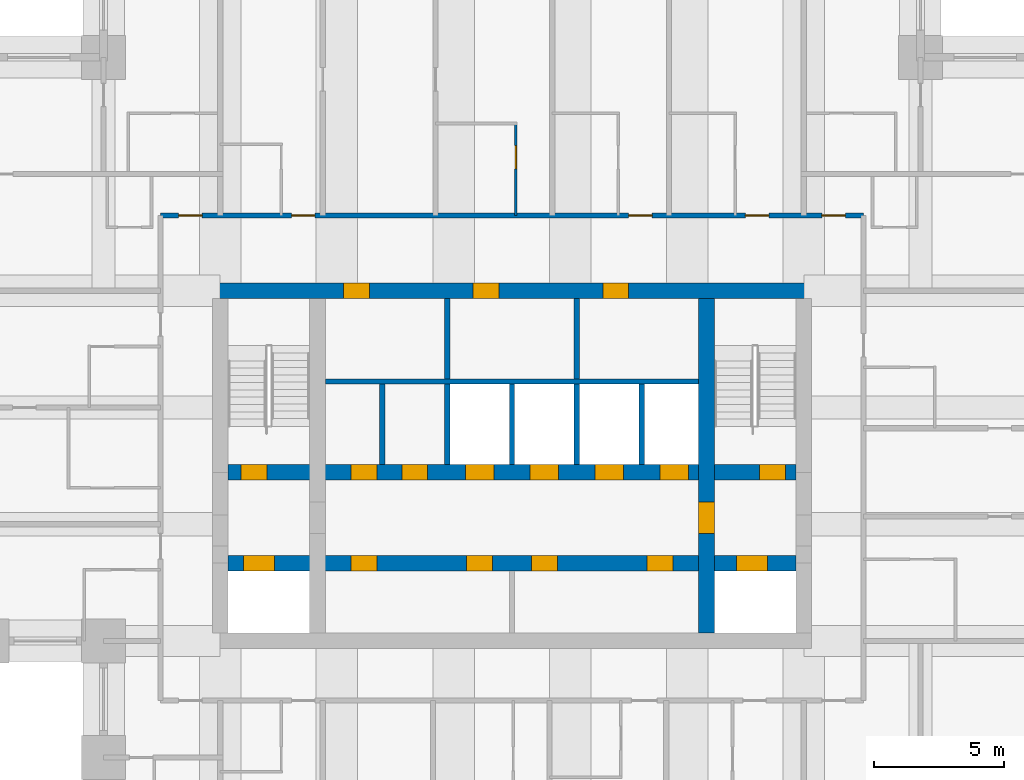
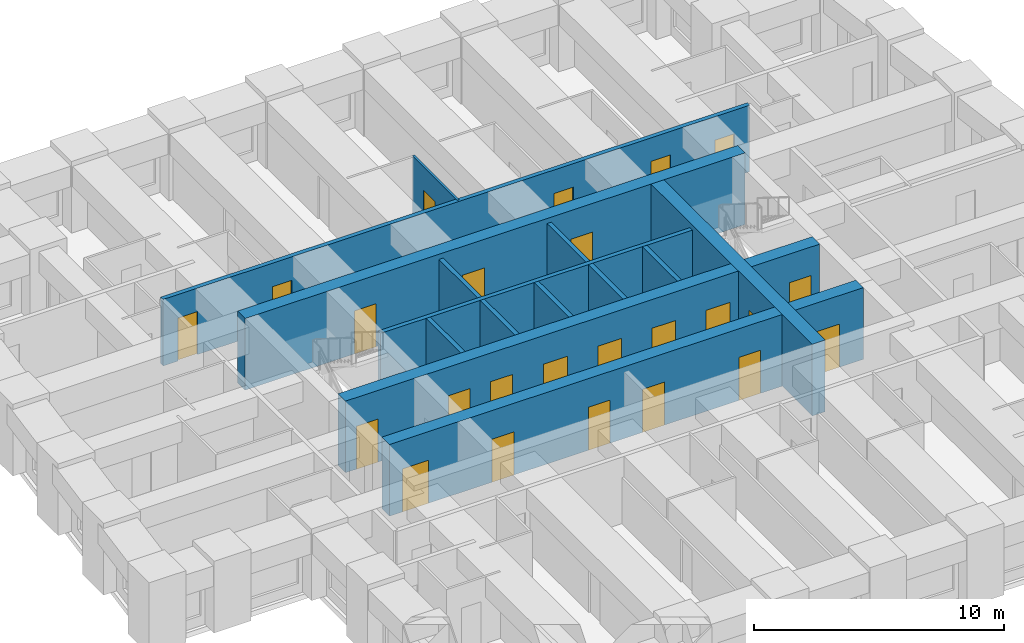
# One storey, part 4 of 8: 24 doors, 14 walls, 24 openings.
"""IFC4 building model written with IfcOpenShell, lengths in metres."""

from ifc_helpers import new_model, si_unit, direction, frame, frame_2d, origin, place, context, subcontext, project, spatial, rectangle, extrude, material, layer, layer_set, type_object, element, fill, save


model = new_model("IFC4")

# Units and contexts
model_context = context("Model", 3, precision=1e-05, world=origin(), true_north=direction((0.0, 1.0)))
body_context = subcontext(model_context, "Body", "Model", "MODEL_VIEW")
ifc_project = project(units=[si_unit("LENGTHUNIT", "METRE"), si_unit("AREAUNIT", "SQUARE_METRE"), si_unit("VOLUMEUNIT", "CUBIC_METRE"), si_unit("PLANEANGLEUNIT", "RADIAN"), si_unit("MASSUNIT", "GRAM", prefix="KILO")], contexts=[model_context])

# Site, building, storey
site_placement = place(None, origin())
site = spatial("IfcSite", under=ifc_project, at=site_placement, CompositionType="ELEMENT")
building_placement = place(site_placement, origin())
building = spatial("IfcBuilding", under=site, at=building_placement, Name="Kilele Tower Hotel", CompositionType="ELEMENT")
storey_placement = place(building_placement, frame((0.0, 0.0, 176.39990234375)))
storey = spatial("IfcBuildingStorey", under=building, at=storey_placement, Name="L45", CompositionType="ELEMENT", Elevation=176.39990234375)

# Wall, opening, door
ifc_material_1 = material(Name="Moisture-resistant board")
ifc_layer_1 = layer(ifc_material_1, 0.10009765625)
ifc_layer_set_1 = layer_set([ifc_layer_1], Name="Moisture-resistant board")
wall_type_1 = type_object("IfcWallType", Name="Bathroom partition 100", PredefinedType="PLUMBINGWALL", material=ifc_layer_set_1)
wall_1_placement = place(storey_placement, frame((24.89990234375, 29.89990234375, 0.0), z_axis=(0.0, 0.0, 1.0), x_axis=(0.0, 1.0, 0.0)))
wall_1 = element("IfcWall", 1, at=wall_1_placement, inside=storey, type_object=wall_type_1, Name="Bathroom partition 100 L45", PredefinedType="PLUMBINGWALL", context=body_context, shape_type="SweptSolid", body=[
    extrude(rectangle(XDim=3.60009765625, YDim=0.10009765625, at=frame_2d((1.800048828125, 0.0))), origin(), (0.0, 0.0, 1.0), 3.25),
])
opening_1_placement = place(wall_1_placement, frame((2.699951171875, 0.0, 0.0), z_axis=(0.0, 0.0, 1.0), x_axis=(-1.0, 0.0, 0.0)))
opening_1 = element("IfcOpeningElement", 2, at=opening_1_placement, cuts=wall_1, Name="Opening D2A", PredefinedType="OPENING", context=body_context, shape_type="SweptSolid", body=[
    extrude(rectangle(XDim=0.89990234375, YDim=2.10009765625, at=frame_2d((0.449951171875, 1.050048828125))), frame((0.0, 0.06005859375, 0.0), z_axis=(0.0, -1.0, 0.0), x_axis=(1.0, 0.0, 0.0)), (0.0, 0.0, 1.0), 0.1201171875),
])
ifc_material_2 = material(Name="Timber door leaf in hardwood frame", Category="wood")
door_type_1 = type_object("IfcDoorType", Name="Bathroom door 900", OperationType="SINGLE_SWING_LEFT", PredefinedType="DOOR", material=ifc_material_2)
door_1_placement = place(opening_1_placement, origin())
door_1 = element("IfcDoor", 3, at=door_1_placement, inside=storey, type_object=door_type_1, Name="Bathroom door 4511B", OperationType="SINGLE_SWING_LEFT", OverallHeight=2.10009765625, OverallWidth=0.89990234375, PredefinedType="DOOR", context=body_context, shape_type="SweptSolid", body=[
    extrude(rectangle(XDim=0.89990234375, YDim=2.10009765625, at=frame_2d((0.449951171875, 1.050048828125))), frame((0.0, 0.02490234375, 0.0), z_axis=(0.0, -1.0, 0.0), x_axis=(1.0, 0.0, 0.0)), (0.0, 0.0, 1.0), 0.050048828125),
])
fill(opening_1, door_1)

# Wall, openings, doors
ifc_material_3 = material(Name="Concrete C70/85", Category="concrete")
ifc_layer_2 = layer(ifc_material_3, 0.60009765625)
ifc_layer_set_2 = layer_set([ifc_layer_2], Name="Concrete C70/85")
wall_type_2 = type_object("IfcWallType", Name="Core wall 600 C70/85", PredefinedType="SHEAR", material=ifc_layer_set_2)
wall_2_placement = place(storey_placement, frame((36.300048828125, 27.0, 0.0), z_axis=(0.0, 0.0, 1.0), x_axis=(-1.0, 0.0, 0.0)))
wall_2 = element("IfcWall", 4, at=wall_2_placement, inside=storey, type_object=wall_type_2, Name="Core wall N L45", PredefinedType="SHEAR", context=body_context, shape_type="SweptSolid", body=[
    extrude(rectangle(XDim=23.10009765625, YDim=0.60009765625, at=frame_2d((11.550048828125, 0.0))), origin(), (0.0, 0.0, 1.0), 3.5),
])
opening_2_placement = place(wall_2_placement, frame((17.050048828125, 0.0, 0.0)))
opening_2 = element("IfcOpeningElement", 5, at=opening_2_placement, cuts=wall_2, Name="Opening D6", PredefinedType="OPENING", context=body_context, shape_type="SweptSolid", body=[
    extrude(rectangle(XDim=1.0, YDim=2.10009765625, at=frame_2d((0.5, 1.050048828125))), frame((0.0, 0.31005859375, 0.0), z_axis=(0.0, -1.0, 0.0), x_axis=(1.0, 0.0, 0.0)), (0.0, 0.0, 1.0), 0.6201171875),
])
opening_3_placement = place(wall_2_placement, frame((12.050048828125, 0.0, 0.0)))
opening_3 = element("IfcOpeningElement", 6, at=opening_3_placement, cuts=wall_2, Name="Opening D6", PredefinedType="OPENING", context=body_context, shape_type="SweptSolid", body=[
    extrude(rectangle(XDim=1.0, YDim=2.10009765625, at=frame_2d((0.5, 1.050048828125))), frame((0.0, 0.31005859375, 0.0), z_axis=(0.0, -1.0, 0.0), x_axis=(1.0, 0.0, 0.0)), (0.0, 0.0, 1.0), 0.6201171875),
])
opening_4_placement = place(wall_2_placement, frame((7.050048828125, 0.0, 0.0)))
opening_4 = element("IfcOpeningElement", 7, at=opening_4_placement, cuts=wall_2, Name="Opening D6", PredefinedType="OPENING", context=body_context, shape_type="SweptSolid", body=[
    extrude(rectangle(XDim=1.0, YDim=2.10009765625, at=frame_2d((0.5, 1.050048828125))), frame((0.0, 0.31005859375, 0.0), z_axis=(0.0, -1.0, 0.0), x_axis=(1.0, 0.0, 0.0)), (0.0, 0.0, 1.0), 0.6201171875),
])
ifc_material_4 = material(Name="Timber door leaf in hardwood frame", Category="wood")
door_type_2 = type_object("IfcDoorType", Name="Riser door 1000", OperationType="SINGLE_SWING_LEFT", PredefinedType="DOOR", material=ifc_material_4)
door_2_placement = place(opening_2_placement, origin())
door_2 = element("IfcDoor", 8, at=door_2_placement, inside=storey, type_object=door_type_2, Name="Service riser door L45", OperationType="SINGLE_SWING_RIGHT", OverallHeight=2.10009765625, OverallWidth=1.0, PredefinedType="DOOR", context=body_context, shape_type="SweptSolid", body=[
    extrude(rectangle(XDim=1.0, YDim=2.10009765625, at=frame_2d((0.5, 1.050048828125))), frame((0.0, 0.2998046875, 0.0), z_axis=(0.0, -1.0, 0.0), x_axis=(1.0, 0.0, 0.0)), (0.0, 0.0, 1.0), 0.599609375),
])
fill(opening_2, door_2)
door_3_placement = place(opening_3_placement, origin())
door_3 = element("IfcDoor", 9, at=door_3_placement, inside=storey, type_object=door_type_2, Name="IT and comms room door L45", OperationType="SINGLE_SWING_RIGHT", OverallHeight=2.10009765625, OverallWidth=1.0, PredefinedType="DOOR", context=body_context, shape_type="SweptSolid", body=[
    extrude(rectangle(XDim=1.0, YDim=2.10009765625, at=frame_2d((0.5, 1.050048828125))), frame((0.0, 0.2998046875, 0.0), z_axis=(0.0, -1.0, 0.0), x_axis=(1.0, 0.0, 0.0)), (0.0, 0.0, 1.0), 0.599609375),
])
fill(opening_3, door_3)
door_4_placement = place(opening_4_placement, origin())
door_4 = element("IfcDoor", 10, at=door_4_placement, inside=storey, type_object=door_type_2, Name="Electrical riser door L45", OperationType="SINGLE_SWING_RIGHT", OverallHeight=2.10009765625, OverallWidth=1.0, PredefinedType="DOOR", context=body_context, shape_type="SweptSolid", body=[
    extrude(rectangle(XDim=1.0, YDim=2.10009765625, at=frame_2d((0.5, 1.050048828125))), frame((0.0, 0.2998046875, 0.0), z_axis=(0.0, -1.0, 0.0), x_axis=(1.0, 0.0, 0.0)), (0.0, 0.0, 1.0), 0.599609375),
])
fill(opening_4, door_4)

# Wall, opening, door
wall_3_placement = place(storey_placement, frame((32.25, 13.800048828125, 0.0), z_axis=(0.0, 0.0, 1.0), x_axis=(0.0, 1.0, 0.0)))
wall_3 = element("IfcWall", 11, at=wall_3_placement, inside=storey, type_object=wall_type_2, Name="Core wall IE L45", PredefinedType="SHEAR", context=body_context, shape_type="SweptSolid", body=[
    extrude(rectangle(XDim=12.89990234375, YDim=0.60009765625, at=frame_2d((6.449951171875, 0.0))), origin(), (0.0, 0.0, 1.0), 3.5),
])
opening_5_placement = place(wall_3_placement, frame((5.050048828125, 0.0, 0.0), z_axis=(0.0, 0.0, 1.0), x_axis=(-1.0, 0.0, 0.0)))
opening_5 = element("IfcOpeningElement", 12, at=opening_5_placement, cuts=wall_3, Name="Opening D4", PredefinedType="OPENING", context=body_context, shape_type="SweptSolid", body=[
    extrude(rectangle(XDim=1.199951171875, YDim=2.10009765625, at=frame_2d((0.60009765625, 1.050048828125))), frame((0.0, 0.31005859375, 0.0), z_axis=(0.0, -1.0, 0.0), x_axis=(1.0, 0.0, 0.0)), (0.0, 0.0, 1.0), 0.6201171875),
])
ifc_material_5 = material(Name="Timber door leaf in hardwood frame", Category="wood")
door_type_3 = type_object("IfcDoorType", Name="Firefighting lobby door 1200", OperationType="SINGLE_SWING_LEFT", PredefinedType="DOOR", material=ifc_material_5)
door_5_placement = place(opening_5_placement, origin())
door_5 = element("IfcDoor", 13, at=door_5_placement, inside=storey, type_object=door_type_3, Name="Lobby door L45", OperationType="SINGLE_SWING_RIGHT", OverallHeight=2.10009765625, OverallWidth=1.199951171875, PredefinedType="DOOR", context=body_context, shape_type="SweptSolid", body=[
    extrude(rectangle(XDim=1.199951171875, YDim=2.10009765625, at=frame_2d((0.60009765625, 1.050048828125))), frame((0.0, 0.2998046875, 0.0), z_axis=(0.0, -1.0, 0.0), x_axis=(1.0, 0.0, 0.0)), (0.0, 0.0, 1.0), 0.599609375),
])
fill(opening_5, door_5)

# Wall, openings, doors
wall_4_placement = place(storey_placement, frame((13.800048828125, 16.5, 0.0), z_axis=(0.0, 0.0, 1.0), x_axis=(1.0, 0.0, 0.0)))
wall_4 = element("IfcWall", 14, at=wall_4_placement, inside=storey, type_object=wall_type_2, Name="Core wall LS L45", PredefinedType="SHEAR", context=body_context, shape_type="SweptSolid", body=[
    extrude(rectangle(XDim=21.89990234375, YDim=0.60009765625, at=frame_2d((10.949951171875, 0.0))), origin(), (0.0, 0.0, 1.0), 3.5),
])
opening_6_placement = place(wall_4_placement, frame((5.75, 0.0, 0.0), z_axis=(0.0, 0.0, 1.0), x_axis=(-1.0, 0.0, 0.0)))
opening_6 = element("IfcOpeningElement", 15, at=opening_6_placement, cuts=wall_4, Name="Opening D11", PredefinedType="OPENING", context=body_context, shape_type="SweptSolid", body=[
    extrude(rectangle(XDim=1.0, YDim=2.10009765625, at=frame_2d((0.5, 1.050048828125))), frame((0.0, 0.31005859375, 0.0), z_axis=(0.0, -1.0, 0.0), x_axis=(1.0, 0.0, 0.0)), (0.0, 0.0, 1.0), 0.6201171875),
])
opening_7_placement = place(wall_4_placement, frame((10.199951171875, 0.0, 0.0), z_axis=(0.0, 0.0, 1.0), x_axis=(-1.0, 0.0, 0.0)))
opening_7 = element("IfcOpeningElement", 16, at=opening_7_placement, cuts=wall_4, Name="Opening D11", PredefinedType="OPENING", context=body_context, shape_type="SweptSolid", body=[
    extrude(rectangle(XDim=1.0, YDim=2.10009765625, at=frame_2d((0.5, 1.050048828125))), frame((0.0, 0.31005859375, 0.0), z_axis=(0.0, -1.0, 0.0), x_axis=(1.0, 0.0, 0.0)), (0.0, 0.0, 1.0), 0.6201171875),
])
opening_8_placement = place(wall_4_placement, frame((12.699951171875, 0.0, 0.0), z_axis=(0.0, 0.0, 1.0), x_axis=(-1.0, 0.0, 0.0)))
opening_8 = element("IfcOpeningElement", 17, at=opening_8_placement, cuts=wall_4, Name="Opening D11", PredefinedType="OPENING", context=body_context, shape_type="SweptSolid", body=[
    extrude(rectangle(XDim=1.0, YDim=2.10009765625, at=frame_2d((0.5, 1.050048828125))), frame((0.0, 0.31005859375, 0.0), z_axis=(0.0, -1.0, 0.0), x_axis=(1.0, 0.0, 0.0)), (0.0, 0.0, 1.0), 0.6201171875),
])
opening_9_placement = place(wall_4_placement, frame((17.14990234375, 0.0, 0.0), z_axis=(0.0, 0.0, 1.0), x_axis=(-1.0, 0.0, 0.0)))
opening_9 = element("IfcOpeningElement", 18, at=opening_9_placement, cuts=wall_4, Name="Opening D11", PredefinedType="OPENING", context=body_context, shape_type="SweptSolid", body=[
    extrude(rectangle(XDim=1.0, YDim=2.10009765625, at=frame_2d((0.5, 1.050048828125))), frame((0.0, 0.31005859375, 0.0), z_axis=(0.0, -1.0, 0.0), x_axis=(1.0, 0.0, 0.0)), (0.0, 0.0, 1.0), 0.6201171875),
])
opening_10_placement = place(wall_4_placement, frame((0.60009765625, 0.0, 0.0)))
opening_10 = element("IfcOpeningElement", 19, at=opening_10_placement, cuts=wall_4, Name="Opening LD2", PredefinedType="OPENING", context=body_context, shape_type="SweptSolid", body=[
    extrude(rectangle(XDim=1.199951171875, YDim=2.10009765625, at=frame_2d((0.60009765625, 1.050048828125))), frame((0.0, 0.31005859375, 0.0), z_axis=(0.0, -1.0, 0.0), x_axis=(1.0, 0.0, 0.0)), (0.0, 0.0, 1.0), 0.6201171875),
])
opening_11_placement = place(wall_4_placement, frame((19.60009765625, 0.0, 0.0)))
opening_11 = element("IfcOpeningElement", 20, at=opening_11_placement, cuts=wall_4, Name="Opening LD2", PredefinedType="OPENING", context=body_context, shape_type="SweptSolid", body=[
    extrude(rectangle(XDim=1.199951171875, YDim=2.10009765625, at=frame_2d((0.60009765625, 1.050048828125))), frame((0.0, 0.31005859375, 0.0), z_axis=(0.0, -1.0, 0.0), x_axis=(1.0, 0.0, 0.0)), (0.0, 0.0, 1.0), 0.6201171875),
])
ifc_material_6 = material(Name="Timber door leaf in hardwood frame", Category="wood")
door_type_4 = type_object("IfcDoorType", Name="Core store door 1000", OperationType="SINGLE_SWING_LEFT", PredefinedType="DOOR", material=ifc_material_6)
door_6_placement = place(opening_6_placement, origin())
door_6 = element("IfcDoor", 21, at=door_6_placement, inside=storey, type_object=door_type_4, Name="Core room door L1 L45", OperationType="SINGLE_SWING_RIGHT", OverallHeight=2.10009765625, OverallWidth=1.0, PredefinedType="DOOR", context=body_context, shape_type="SweptSolid", body=[
    extrude(rectangle(XDim=1.0, YDim=2.10009765625, at=frame_2d((0.5, 1.050048828125))), frame((0.0, 0.2998046875, 0.0), z_axis=(0.0, -1.0, 0.0), x_axis=(1.0, 0.0, 0.0)), (0.0, 0.0, 1.0), 0.599609375),
])
fill(opening_6, door_6)
door_7_placement = place(opening_7_placement, origin())
door_7 = element("IfcDoor", 22, at=door_7_placement, inside=storey, type_object=door_type_4, Name="Core room door L3 L45", OperationType="SINGLE_SWING_LEFT", OverallHeight=2.10009765625, OverallWidth=1.0, PredefinedType="DOOR", context=body_context, shape_type="SweptSolid", body=[
    extrude(rectangle(XDim=1.0, YDim=2.10009765625, at=frame_2d((0.5, 1.050048828125))), frame((0.0, 0.2998046875, 0.0), z_axis=(0.0, -1.0, 0.0), x_axis=(1.0, 0.0, 0.0)), (0.0, 0.0, 1.0), 0.599609375),
])
fill(opening_7, door_7)
door_8_placement = place(opening_8_placement, origin())
door_8 = element("IfcDoor", 23, at=door_8_placement, inside=storey, type_object=door_type_4, Name="Core room door M1 L45", OperationType="SINGLE_SWING_RIGHT", OverallHeight=2.10009765625, OverallWidth=1.0, PredefinedType="DOOR", context=body_context, shape_type="SweptSolid", body=[
    extrude(rectangle(XDim=1.0, YDim=2.10009765625, at=frame_2d((0.5, 1.050048828125))), frame((0.0, 0.2998046875, 0.0), z_axis=(0.0, -1.0, 0.0), x_axis=(1.0, 0.0, 0.0)), (0.0, 0.0, 1.0), 0.599609375),
])
fill(opening_8, door_8)
door_9_placement = place(opening_9_placement, origin())
door_9 = element("IfcDoor", 24, at=door_9_placement, inside=storey, type_object=door_type_4, Name="Core room door M3 L45", OperationType="SINGLE_SWING_LEFT", OverallHeight=2.10009765625, OverallWidth=1.0, PredefinedType="DOOR", context=body_context, shape_type="SweptSolid", body=[
    extrude(rectangle(XDim=1.0, YDim=2.10009765625, at=frame_2d((0.5, 1.050048828125))), frame((0.0, 0.2998046875, 0.0), z_axis=(0.0, -1.0, 0.0), x_axis=(1.0, 0.0, 0.0)), (0.0, 0.0, 1.0), 0.599609375),
])
fill(opening_9, door_9)
ifc_material_7 = material(Name="Steel lift landing door", Category="steel")
door_type_5 = type_object("IfcDoorType", Name="Firefighting lift landing door 1200", OperationType="SLIDING_TO_LEFT", PredefinedType="DOOR", material=ifc_material_7)
door_10_placement = place(opening_10_placement, origin())
door_10 = element("IfcDoor", 25, at=door_10_placement, inside=storey, type_object=door_type_5, Name="Landing door FFW L45", OperationType="SLIDING_TO_LEFT", OverallHeight=2.10009765625, OverallWidth=1.199951171875, PredefinedType="DOOR", context=body_context, shape_type="SweptSolid", body=[
    extrude(rectangle(XDim=1.199951171875, YDim=2.10009765625, at=frame_2d((0.60009765625, 1.050048828125))), frame((0.0, 0.2998046875, 0.0), z_axis=(0.0, -1.0, 0.0), x_axis=(1.0, 0.0, 0.0)), (0.0, 0.0, 1.0), 0.599609375),
])
fill(opening_10, door_10)
door_11_placement = place(opening_11_placement, origin())
door_11 = element("IfcDoor", 26, at=door_11_placement, inside=storey, type_object=door_type_5, Name="Landing door FFE L45", OperationType="SLIDING_TO_LEFT", OverallHeight=2.10009765625, OverallWidth=1.199951171875, PredefinedType="DOOR", context=body_context, shape_type="SweptSolid", body=[
    extrude(rectangle(XDim=1.199951171875, YDim=2.10009765625, at=frame_2d((0.60009765625, 1.050048828125))), frame((0.0, 0.2998046875, 0.0), z_axis=(0.0, -1.0, 0.0), x_axis=(1.0, 0.0, 0.0)), (0.0, 0.0, 1.0), 0.599609375),
])
fill(opening_11, door_11)

wall_5_placement = place(storey_placement, frame((13.800048828125, 20.0, 0.0), z_axis=(0.0, 0.0, 1.0), x_axis=(1.0, 0.0, 0.0)))
wall_5 = element("IfcWall", 27, at=wall_5_placement, inside=storey, type_object=wall_type_2, Name="Core wall LN L45", PredefinedType="SHEAR", context=body_context, shape_type="SweptSolid", body=[
    extrude(rectangle(XDim=21.89990234375, YDim=0.60009765625, at=frame_2d((10.949951171875, 0.0))), origin(), (0.0, 0.0, 1.0), 3.5),
])
opening_12_placement = place(wall_5_placement, frame((0.5, 0.0, 0.0)))
opening_12 = element("IfcOpeningElement", 28, at=opening_12_placement, cuts=wall_5, Name="Opening D5", PredefinedType="OPENING", context=body_context, shape_type="SweptSolid", body=[
    extrude(rectangle(XDim=1.0, YDim=2.10009765625, at=frame_2d((0.5, 1.050048828125))), frame((0.0, 0.31005859375, 0.0), z_axis=(0.0, -1.0, 0.0), x_axis=(1.0, 0.0, 0.0)), (0.0, 0.0, 1.0), 0.6201171875),
])
opening_13_placement = place(wall_5_placement, frame((20.5, 0.0, 0.0)))
opening_13 = element("IfcOpeningElement", 29, at=opening_13_placement, cuts=wall_5, Name="Opening D5", PredefinedType="OPENING", context=body_context, shape_type="SweptSolid", body=[
    extrude(rectangle(XDim=1.0, YDim=2.10009765625, at=frame_2d((0.5, 1.050048828125))), frame((0.0, 0.31005859375, 0.0), z_axis=(0.0, -1.0, 0.0), x_axis=(1.0, 0.0, 0.0)), (0.0, 0.0, 1.0), 0.6201171875),
])
opening_14_placement = place(wall_5_placement, frame((9.14990234375, 0.0, 0.0)))
opening_14 = element("IfcOpeningElement", 30, at=opening_14_placement, cuts=wall_5, Name="Opening LD1", PredefinedType="OPENING", context=body_context, shape_type="SweptSolid", body=[
    extrude(rectangle(XDim=1.10009765625, YDim=2.10009765625, at=frame_2d((0.550048828125, 1.050048828125))), frame((0.0, 0.31005859375, 0.0), z_axis=(0.0, -1.0, 0.0), x_axis=(1.0, 0.0, 0.0)), (0.0, 0.0, 1.0), 0.6201171875),
])
opening_15_placement = place(wall_5_placement, frame((11.64990234375, 0.0, 0.0)))
opening_15 = element("IfcOpeningElement", 31, at=opening_15_placement, cuts=wall_5, Name="Opening LD1", PredefinedType="OPENING", context=body_context, shape_type="SweptSolid", body=[
    extrude(rectangle(XDim=1.10009765625, YDim=2.10009765625, at=frame_2d((0.550048828125, 1.050048828125))), frame((0.0, 0.31005859375, 0.0), z_axis=(0.0, -1.0, 0.0), x_axis=(1.0, 0.0, 0.0)), (0.0, 0.0, 1.0), 0.6201171875),
])
opening_16_placement = place(wall_5_placement, frame((14.14990234375, 0.0, 0.0)))
opening_16 = element("IfcOpeningElement", 32, at=opening_16_placement, cuts=wall_5, Name="Opening LD1", PredefinedType="OPENING", context=body_context, shape_type="SweptSolid", body=[
    extrude(rectangle(XDim=1.10009765625, YDim=2.10009765625, at=frame_2d((0.550048828125, 1.050048828125))), frame((0.0, 0.31005859375, 0.0), z_axis=(0.0, -1.0, 0.0), x_axis=(1.0, 0.0, 0.0)), (0.0, 0.0, 1.0), 0.6201171875),
])
opening_17_placement = place(wall_5_placement, frame((16.64990234375, 0.0, 0.0)))
opening_17 = element("IfcOpeningElement", 33, at=opening_17_placement, cuts=wall_5, Name="Opening LD1", PredefinedType="OPENING", context=body_context, shape_type="SweptSolid", body=[
    extrude(rectangle(XDim=1.10009765625, YDim=2.10009765625, at=frame_2d((0.550048828125, 1.050048828125))), frame((0.0, 0.31005859375, 0.0), z_axis=(0.0, -1.0, 0.0), x_axis=(1.0, 0.0, 0.0)), (0.0, 0.0, 1.0), 0.6201171875),
])
opening_18_placement = place(wall_5_placement, frame((4.75, 0.0, 0.0)))
opening_18 = element("IfcOpeningElement", 34, at=opening_18_placement, cuts=wall_5, Name="Opening D11", PredefinedType="OPENING", context=body_context, shape_type="SweptSolid", body=[
    extrude(rectangle(XDim=1.0, YDim=2.10009765625, at=frame_2d((0.5, 1.050048828125))), frame((0.0, 0.31005859375, 0.0), z_axis=(0.0, -1.0, 0.0), x_axis=(1.0, 0.0, 0.0)), (0.0, 0.0, 1.0), 0.6201171875),
])
opening_19_placement = place(wall_5_placement, frame((6.699951171875, 0.0, 0.0)))
opening_19 = element("IfcOpeningElement", 35, at=opening_19_placement, cuts=wall_5, Name="Opening D11", PredefinedType="OPENING", context=body_context, shape_type="SweptSolid", body=[
    extrude(rectangle(XDim=1.0, YDim=2.10009765625, at=frame_2d((0.5, 1.050048828125))), frame((0.0, 0.31005859375, 0.0), z_axis=(0.0, -1.0, 0.0), x_axis=(1.0, 0.0, 0.0)), (0.0, 0.0, 1.0), 0.6201171875),
])
door_12_placement = place(opening_18_placement, origin())
door_12 = element("IfcDoor", 36, at=door_12_placement, inside=storey, type_object=door_type_4, Name="Core room door S1 L45", OperationType="SINGLE_SWING_RIGHT", OverallHeight=2.10009765625, OverallWidth=1.0, PredefinedType="DOOR", context=body_context, shape_type="SweptSolid", body=[
    extrude(rectangle(XDim=1.0, YDim=2.10009765625, at=frame_2d((0.5, 1.050048828125))), frame((0.0, 0.2998046875, 0.0), z_axis=(0.0, -1.0, 0.0), x_axis=(1.0, 0.0, 0.0)), (0.0, 0.0, 1.0), 0.599609375),
])
fill(opening_18, door_12)
door_13_placement = place(opening_19_placement, origin())
door_13 = element("IfcDoor", 37, at=door_13_placement, inside=storey, type_object=door_type_4, Name="Core room door S2 L45", OperationType="SINGLE_SWING_LEFT", OverallHeight=2.10009765625, OverallWidth=1.0, PredefinedType="DOOR", context=body_context, shape_type="SweptSolid", body=[
    extrude(rectangle(XDim=1.0, YDim=2.10009765625, at=frame_2d((0.5, 1.050048828125))), frame((0.0, 0.2998046875, 0.0), z_axis=(0.0, -1.0, 0.0), x_axis=(1.0, 0.0, 0.0)), (0.0, 0.0, 1.0), 0.599609375),
])
fill(opening_19, door_13)
ifc_material_8 = material(Name="Steel lift landing door", Category="steel")
door_type_6 = type_object("IfcDoorType", Name="Lift landing door 1100", OperationType="SLIDING_TO_LEFT", PredefinedType="DOOR", material=ifc_material_8)
door_14_placement = place(opening_14_placement, origin())
door_14 = element("IfcDoor", 38, at=door_14_placement, inside=storey, type_object=door_type_6, Name="Landing door H1 L45", OperationType="SLIDING_TO_LEFT", OverallHeight=2.10009765625, OverallWidth=1.10009765625, PredefinedType="DOOR", context=body_context, shape_type="SweptSolid", body=[
    extrude(rectangle(XDim=1.10009765625, YDim=2.10009765625, at=frame_2d((0.550048828125, 1.050048828125))), frame((0.0, 0.2998046875, 0.0), z_axis=(0.0, -1.0, 0.0), x_axis=(1.0, 0.0, 0.0)), (0.0, 0.0, 1.0), 0.599609375),
])
fill(opening_14, door_14)
door_15_placement = place(opening_15_placement, origin())
door_15 = element("IfcDoor", 39, at=door_15_placement, inside=storey, type_object=door_type_6, Name="Landing door H2 L45", OperationType="SLIDING_TO_LEFT", OverallHeight=2.10009765625, OverallWidth=1.10009765625, PredefinedType="DOOR", context=body_context, shape_type="SweptSolid", body=[
    extrude(rectangle(XDim=1.10009765625, YDim=2.10009765625, at=frame_2d((0.550048828125, 1.050048828125))), frame((0.0, 0.2998046875, 0.0), z_axis=(0.0, -1.0, 0.0), x_axis=(1.0, 0.0, 0.0)), (0.0, 0.0, 1.0), 0.599609375),
])
fill(opening_15, door_15)
door_16_placement = place(opening_16_placement, origin())
door_16 = element("IfcDoor", 40, at=door_16_placement, inside=storey, type_object=door_type_6, Name="Landing door H3 L45", OperationType="SLIDING_TO_LEFT", OverallHeight=2.10009765625, OverallWidth=1.10009765625, PredefinedType="DOOR", context=body_context, shape_type="SweptSolid", body=[
    extrude(rectangle(XDim=1.10009765625, YDim=2.10009765625, at=frame_2d((0.550048828125, 1.050048828125))), frame((0.0, 0.2998046875, 0.0), z_axis=(0.0, -1.0, 0.0), x_axis=(1.0, 0.0, 0.0)), (0.0, 0.0, 1.0), 0.599609375),
])
fill(opening_16, door_16)
door_17_placement = place(opening_17_placement, origin())
door_17 = element("IfcDoor", 41, at=door_17_placement, inside=storey, type_object=door_type_6, Name="Landing door G1 L45", OperationType="SLIDING_TO_LEFT", OverallHeight=2.10009765625, OverallWidth=1.10009765625, PredefinedType="DOOR", context=body_context, shape_type="SweptSolid", body=[
    extrude(rectangle(XDim=1.10009765625, YDim=2.10009765625, at=frame_2d((0.550048828125, 1.050048828125))), frame((0.0, 0.2998046875, 0.0), z_axis=(0.0, -1.0, 0.0), x_axis=(1.0, 0.0, 0.0)), (0.0, 0.0, 1.0), 0.599609375),
])
fill(opening_17, door_17)
ifc_material_9 = material(Name="Timber door leaf in hardwood frame", Category="wood")
door_type_7 = type_object("IfcDoorType", Name="Stair door 1000", OperationType="SINGLE_SWING_LEFT", PredefinedType="DOOR", material=ifc_material_9)
door_18_placement = place(opening_12_placement, origin())
door_18 = element("IfcDoor", 42, at=door_18_placement, inside=storey, type_object=door_type_7, Name="Stair 1 door L45", OperationType="SINGLE_SWING_LEFT", OverallHeight=2.10009765625, OverallWidth=1.0, PredefinedType="DOOR", context=body_context, shape_type="SweptSolid", body=[
    extrude(rectangle(XDim=1.0, YDim=2.10009765625, at=frame_2d((0.5, 1.050048828125))), frame((0.0, 0.2998046875, 0.0), z_axis=(0.0, -1.0, 0.0), x_axis=(1.0, 0.0, 0.0)), (0.0, 0.0, 1.0), 0.599609375),
])
fill(opening_12, door_18)
door_19_placement = place(opening_13_placement, origin())
door_19 = element("IfcDoor", 43, at=door_19_placement, inside=storey, type_object=door_type_7, Name="Stair 2 door L45", OperationType="SINGLE_SWING_RIGHT", OverallHeight=2.10009765625, OverallWidth=1.0, PredefinedType="DOOR", context=body_context, shape_type="SweptSolid", body=[
    extrude(rectangle(XDim=1.0, YDim=2.10009765625, at=frame_2d((0.5, 1.050048828125))), frame((0.0, 0.2998046875, 0.0), z_axis=(0.0, -1.0, 0.0), x_axis=(1.0, 0.0, 0.0)), (0.0, 0.0, 1.0), 0.599609375),
])
fill(opening_13, door_19)

ifc_material_10 = material(Name="Blockwork, plastered both sides", Category="masonry")
ifc_layer_3 = layer(ifc_material_10, 0.199951171875)
ifc_layer_set_3 = layer_set([ifc_layer_3], Name="Blockwork, plastered both sides")
wall_type_3 = type_object("IfcWallType", Name="Corridor wall 200", PredefinedType="PARTITIONING", material=ifc_layer_set_3)
wall_6_placement = place(storey_placement, frame((11.199951171875, 29.89990234375, 0.0), z_axis=(0.0, 0.0, 1.0), x_axis=(1.0, 0.0, 0.0)))
wall_6 = element("IfcWall", 44, at=wall_6_placement, inside=storey, type_object=wall_type_3, Name="Corridor wall 200 L45", PredefinedType="PARTITIONING", context=body_context, shape_type="SweptSolid", body=[
    extrude(rectangle(XDim=27.10009765625, YDim=0.199951171875, at=frame_2d((13.550048828125, 0.0))), origin(), (0.0, 0.0, 1.0), 3.25),
])
opening_20_placement = place(wall_6_placement, frame((5.050048828125, 0.0, 0.0)))
opening_20 = element("IfcOpeningElement", 45, at=opening_20_placement, cuts=wall_6, Name="Opening D1", PredefinedType="OPENING", context=body_context, shape_type="SweptSolid", body=[
    extrude(rectangle(XDim=0.89990234375, YDim=2.10009765625, at=frame_2d((0.449951171875, 1.050048828125))), frame((0.0, 0.10986328125, 0.0), z_axis=(0.0, -1.0, 0.0), x_axis=(1.0, 0.0, 0.0)), (0.0, 0.0, 1.0), 0.219970703125),
])
opening_21_placement = place(wall_6_placement, frame((18.050048828125, 0.0, 0.0)))
opening_21 = element("IfcOpeningElement", 46, at=opening_21_placement, cuts=wall_6, Name="Opening D1", PredefinedType="OPENING", context=body_context, shape_type="SweptSolid", body=[
    extrude(rectangle(XDim=0.89990234375, YDim=2.10009765625, at=frame_2d((0.449951171875, 1.050048828125))), frame((0.0, 0.10986328125, 0.0), z_axis=(0.0, -1.0, 0.0), x_axis=(1.0, 0.0, 0.0)), (0.0, 0.0, 1.0), 0.219970703125),
])
opening_22_placement = place(wall_6_placement, frame((22.550048828125, 0.0, 0.0)))
opening_22 = element("IfcOpeningElement", 47, at=opening_22_placement, cuts=wall_6, Name="Opening D1", PredefinedType="OPENING", context=body_context, shape_type="SweptSolid", body=[
    extrude(rectangle(XDim=0.89990234375, YDim=2.10009765625, at=frame_2d((0.449951171875, 1.050048828125))), frame((0.0, 0.10986328125, 0.0), z_axis=(0.0, -1.0, 0.0), x_axis=(1.0, 0.0, 0.0)), (0.0, 0.0, 1.0), 0.219970703125),
])
opening_23_placement = place(wall_6_placement, frame((25.5, 0.0, 0.0)))
opening_23 = element("IfcOpeningElement", 48, at=opening_23_placement, cuts=wall_6, Name="Opening D1", PredefinedType="OPENING", context=body_context, shape_type="SweptSolid", body=[
    extrude(rectangle(XDim=0.89990234375, YDim=2.10009765625, at=frame_2d((0.449951171875, 1.050048828125))), frame((0.0, 0.10986328125, 0.0), z_axis=(0.0, -1.0, 0.0), x_axis=(1.0, 0.0, 0.0)), (0.0, 0.0, 1.0), 0.219970703125),
])
opening_24_placement = place(wall_6_placement, frame((0.699951171875, 0.0, 0.0)))
opening_24 = element("IfcOpeningElement", 49, at=opening_24_placement, cuts=wall_6, Name="Opening D1", PredefinedType="OPENING", context=body_context, shape_type="SweptSolid", body=[
    extrude(rectangle(XDim=0.89990234375, YDim=2.10009765625, at=frame_2d((0.449951171875, 1.050048828125))), frame((0.0, 0.10986328125, 0.0), z_axis=(0.0, -1.0, 0.0), x_axis=(1.0, 0.0, 0.0)), (0.0, 0.0, 1.0), 0.219970703125),
])
ifc_material_11 = material(Name="Timber door leaf in hardwood frame", Category="wood")
door_type_8 = type_object("IfcDoorType", Name="Guest room entrance door 900", OperationType="SINGLE_SWING_LEFT", PredefinedType="DOOR", material=ifc_material_11)
door_20_placement = place(opening_20_placement, origin())
door_20 = element("IfcDoor", 50, at=door_20_placement, inside=storey, type_object=door_type_8, Name="Room entrance 4509", OperationType="SINGLE_SWING_RIGHT", OverallHeight=2.10009765625, OverallWidth=0.89990234375, PredefinedType="DOOR", context=body_context, shape_type="SweptSolid", body=[
    extrude(rectangle(XDim=0.89990234375, YDim=2.10009765625, at=frame_2d((0.449951171875, 1.050048828125))), frame((0.0, 0.02490234375, 0.0), z_axis=(0.0, -1.0, 0.0), x_axis=(1.0, 0.0, 0.0)), (0.0, 0.0, 1.0), 0.050048828125),
])
fill(opening_20, door_20)
door_21_placement = place(opening_21_placement, origin())
door_21 = element("IfcDoor", 51, at=door_21_placement, inside=storey, type_object=door_type_8, Name="Room entrance 4512", OperationType="SINGLE_SWING_LEFT", OverallHeight=2.10009765625, OverallWidth=0.89990234375, PredefinedType="DOOR", context=body_context, shape_type="SweptSolid", body=[
    extrude(rectangle(XDim=0.89990234375, YDim=2.10009765625, at=frame_2d((0.449951171875, 1.050048828125))), frame((0.0, 0.02490234375, 0.0), z_axis=(0.0, -1.0, 0.0), x_axis=(1.0, 0.0, 0.0)), (0.0, 0.0, 1.0), 0.050048828125),
])
fill(opening_21, door_21)
door_22_placement = place(opening_22_placement, origin())
door_22 = element("IfcDoor", 52, at=door_22_placement, inside=storey, type_object=door_type_8, Name="Room entrance 4513", OperationType="SINGLE_SWING_LEFT", OverallHeight=2.10009765625, OverallWidth=0.89990234375, PredefinedType="DOOR", context=body_context, shape_type="SweptSolid", body=[
    extrude(rectangle(XDim=0.89990234375, YDim=2.10009765625, at=frame_2d((0.449951171875, 1.050048828125))), frame((0.0, 0.02490234375, 0.0), z_axis=(0.0, -1.0, 0.0), x_axis=(1.0, 0.0, 0.0)), (0.0, 0.0, 1.0), 0.050048828125),
])
fill(opening_22, door_22)
door_23_placement = place(opening_23_placement, origin())
door_23 = element("IfcDoor", 53, at=door_23_placement, inside=storey, type_object=door_type_8, Name="Room entrance 4522", OperationType="SINGLE_SWING_LEFT", OverallHeight=2.10009765625, OverallWidth=0.89990234375, PredefinedType="DOOR", context=body_context, shape_type="SweptSolid", body=[
    extrude(rectangle(XDim=0.89990234375, YDim=2.10009765625, at=frame_2d((0.449951171875, 1.050048828125))), frame((0.0, 0.02490234375, 0.0), z_axis=(0.0, -1.0, 0.0), x_axis=(1.0, 0.0, 0.0)), (0.0, 0.0, 1.0), 0.050048828125),
])
fill(opening_23, door_23)
door_24_placement = place(opening_24_placement, origin())
door_24 = element("IfcDoor", 54, at=door_24_placement, inside=storey, type_object=door_type_8, Name="Room entrance 4525", OperationType="SINGLE_SWING_RIGHT", OverallHeight=2.10009765625, OverallWidth=0.89990234375, PredefinedType="DOOR", context=body_context, shape_type="SweptSolid", body=[
    extrude(rectangle(XDim=0.89990234375, YDim=2.10009765625, at=frame_2d((0.449951171875, 1.050048828125))), frame((0.0, 0.02490234375, 0.0), z_axis=(0.0, -1.0, 0.0), x_axis=(1.0, 0.0, 0.0)), (0.0, 0.0, 1.0), 0.050048828125),
])
fill(opening_24, door_24)

# Walls
ifc_material_12 = material(Name="Blockwork, fire-rated", Category="masonry")
ifc_layer_4 = layer(ifc_material_12, 0.199951171875)
ifc_layer_set_4 = layer_set([ifc_layer_4], Name="Blockwork, fire-rated")
wall_type_4 = type_object("IfcWallType", Name="Shaft wall 200", PredefinedType="PARTITIONING", material=ifc_layer_set_4)
for number, where, z_axis, x_axis, name in (
    (55, (19.75, 20.300048828125, 0.0), (0.0, 0.0, 1.0), (0.0, 1.0, 0.0), "Shaft wall 200 L45"),
    (56, (22.25, 20.300048828125, 0.0), (0.0, 0.0, 1.0), (0.0, 1.0, 0.0), "Shaft wall 200 L45"),
    (57, (24.75, 20.300048828125, 0.0), (0.0, 0.0, 1.0), (0.0, 1.0, 0.0), "Shaft wall 200 L45"),
    (58, (27.25, 20.300048828125, 0.0), (0.0, 0.0, 1.0), (0.0, 1.0, 0.0), "Shaft wall 200 L45"),
    (59, (29.75, 20.300048828125, 0.0), (0.0, 0.0, 1.0), (0.0, 1.0, 0.0), "Shaft wall 200 L45"),
):
    element("IfcWall", number, at=place(storey_placement, frame(where, z_axis=z_axis, x_axis=x_axis)), inside=storey, type_object=wall_type_4, Name=name, PredefinedType="PARTITIONING", context=body_context, shape_type="SweptSolid", body=[
        extrude(rectangle(XDim=3.099853515625, YDim=0.199951171875, at=frame_2d((1.5498046875, 0.0))), origin(), (0.0, 0.0, 1.0), 3.25),
    ])
wall_7_placement = place(storey_placement, frame((17.550048828125, 23.5, 0.0), z_axis=(0.0, 0.0, 1.0), x_axis=(1.0, 0.0, 0.0)))
element("IfcWall", 60, at=wall_7_placement, inside=storey, type_object=wall_type_4, Name="Shaft wall 200 L45", PredefinedType="PARTITIONING", context=body_context, shape_type="SweptSolid", body=[
    extrude(rectangle(XDim=14.39990234375, YDim=0.199951171875, at=frame_2d((7.199951171875, 0.0))), origin(), (0.0, 0.0, 1.0), 3.25),
])
for number, where, z_axis, x_axis, name in (
    (61, (22.25, 23.60009765625, 0.0), (0.0, 0.0, 1.0), (0.0, 1.0, 0.0), "Shaft wall 200 L45"),
    (62, (27.25, 23.60009765625, 0.0), (0.0, 0.0, 1.0), (0.0, 1.0, 0.0), "Shaft wall 200 L45"),
):
    element("IfcWall", number, at=place(storey_placement, frame(where, z_axis=z_axis, x_axis=x_axis)), inside=storey, type_object=wall_type_4, Name=name, PredefinedType="PARTITIONING", context=body_context, shape_type="SweptSolid", body=[
        extrude(rectangle(XDim=3.099853515625, YDim=0.199951171875, at=frame_2d((1.5498046875, 0.0))), origin(), (0.0, 0.0, 1.0), 3.25),
    ])

save(model, "model.ifc")
